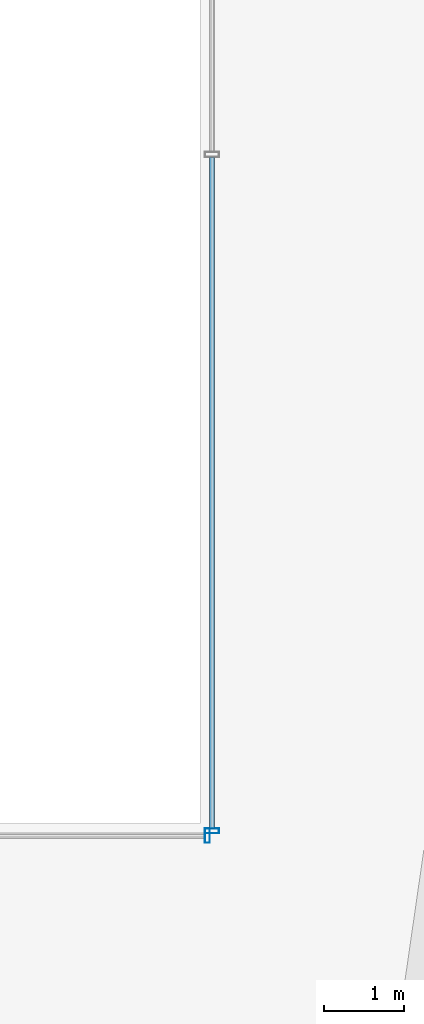
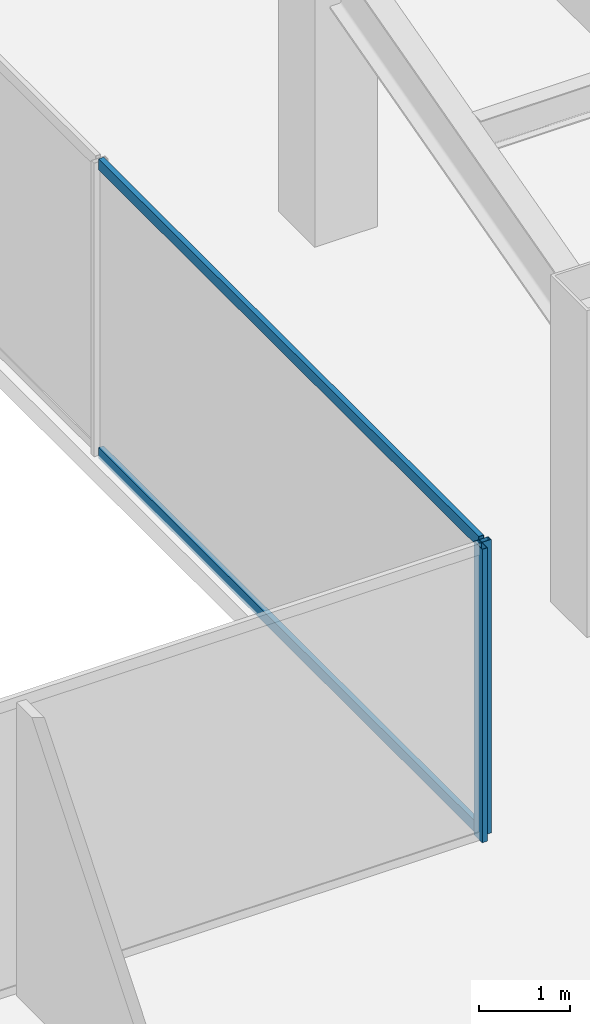
# One storey, part 18 of 47: 4 members, 2 elements without a shape of their own.
"""IFC4 building model written with IfcOpenShell, lengths in metres."""

from ifc_helpers import new_model, si_unit, direction, frame, origin, origin_2d, place, context, subcontext, project, spatial, hollow_rectangle, extrude, material, material_profile, profile_set, type_object, element, aggregate, save


model = new_model("IFC4")

# Units and contexts
model_context = context("Model", 3, precision=1e-05, world=origin(), true_north=direction((0.0, 1.0)))
body_context = subcontext(model_context, "Body", "Model", "MODEL_VIEW")
ifc_project = project(units=[si_unit("LENGTHUNIT", "METRE"), si_unit("AREAUNIT", "SQUARE_METRE"), si_unit("VOLUMEUNIT", "CUBIC_METRE"), si_unit("PLANEANGLEUNIT", "RADIAN"), si_unit("MASSUNIT", "GRAM", prefix="KILO")], contexts=[model_context])

# Site, building, storey
site_placement = place(None, origin())
site = spatial("IfcSite", under=ifc_project, at=site_placement, CompositionType="ELEMENT")
building_placement = place(site_placement, origin())
building = spatial("IfcBuilding", under=site, at=building_placement, Name="Saevonmaru Cultural Tower", CompositionType="ELEMENT")
storey_placement = place(building_placement, frame((0.0, 0.0, 82.39990234375)))
storey = spatial("IfcBuildingStorey", under=building, at=storey_placement, Name="L17", CompositionType="ELEMENT", Elevation=82.39990234375)

# Curtain wall, member
ifc_material = material(Name="Satin Bronze Anodised Aluminium", Category="aluminium")
curtain_wall_type = type_object("IfcCurtainWallType", Name="CW-ATR-GLZ", PredefinedType="NOTDEFINED", material=ifc_material)
curtain_wall_1_placement = place(storey_placement, origin())
curtain_wall_1 = element("IfcCurtainWall", 1, at=curtain_wall_1_placement, inside=storey, type_object=curtain_wall_type, Name="L17 Vertical Atrium Glazed Smoke Screen 1", PredefinedType="NOTDEFINED")
ifc_material_profile_1 = material_profile(ifc_material, hollow_rectangle(XDim=0.06494140625, YDim=0.179931640625, WallThickness=0.00390625, at=origin_2d()), Name="ALU-MULL-180x65x4")
ifc_profile_set_1 = profile_set([ifc_material_profile_1], Name="Satin Bronze Anodised Aluminium")
member_type_1 = type_object("IfcMemberType", Name="ML-CW-INT-180x65", PredefinedType="MULLION", material=ifc_profile_set_1)
member_1_placement = place(storey_placement, frame((35.889892578125, 20.85009765625, 0.0), z_axis=(0.0, 0.0, 1.0), x_axis=(1.0, 0.0, 0.0)))
member_1 = element("IfcMember", 2, at=member_1_placement, type_object=member_type_1, Name="CW-ATR-L17-1 mullion 2", PredefinedType="MULLION", context=body_context, shape_type="SweptSolid", body=[
    extrude(hollow_rectangle(XDim=0.06494140625, YDim=0.179931640625, WallThickness=0.00390625, at=origin_2d()), origin(), (0.0, 0.0, 1.0), 3.9501953125),
])
aggregate(curtain_wall_1, [member_1])

# Curtain wall, members
curtain_wall_2_placement = place(storey_placement, origin())
curtain_wall_2 = element("IfcCurtainWall", 3, at=curtain_wall_2_placement, inside=storey, type_object=curtain_wall_type, Name="L17 Vertical Atrium Glazed Smoke Screen 2", PredefinedType="NOTDEFINED")
member_2_placement = place(storey_placement, frame((35.949951171875, 20.909912109375, 0.0), z_axis=(0.0, 0.0, 1.0), x_axis=(0.0, 1.0, 0.0)))
member_2 = element("IfcMember", 4, at=member_2_placement, type_object=member_type_1, Name="CW-ATR-L17-2 mullion 1", PredefinedType="MULLION", context=body_context, shape_type="SweptSolid", body=[
    extrude(hollow_rectangle(XDim=0.06494140625, YDim=0.179931640625, WallThickness=0.00390625, at=origin_2d()), origin(), (0.0, 0.0, 1.0), 3.9501953125),
])
ifc_material_profile_2 = material_profile(ifc_material, hollow_rectangle(XDim=0.06494140625, YDim=0.14990234375, WallThickness=0.00390625, at=origin_2d()), Name="ALU-TRAN-150x65x4")
ifc_profile_set_2 = profile_set([ifc_material_profile_2], Name="Satin Bronze Anodised Aluminium")
member_type_2 = type_object("IfcMemberType", Name="TR-CW-INT-150x65", PredefinedType="USERDEFINED", material=ifc_profile_set_2)
member_3_placement = place(storey_placement, frame((35.949951171875, 20.9423828125, 0.03271484375), z_axis=(0.0, 1.0, 0.0), x_axis=(-1.0, 0.0, 0.0)))
member_3 = element("IfcMember", 5, at=member_3_placement, type_object=member_type_2, Name="CW-ATR-L17-2 transom 1.1", ObjectType="TRANSOM", PredefinedType="USERDEFINED", context=body_context, shape_type="SweptSolid", body=[
    extrude(hollow_rectangle(XDim=0.06494140625, YDim=0.14990234375, WallThickness=0.00390625, at=origin_2d()), origin(), (0.0, 0.0, 1.0), 8.385009765625),
])
member_4_placement = place(storey_placement, frame((35.949951171875, 20.9423828125, 3.91748046875), z_axis=(0.0, 1.0, 0.0), x_axis=(-1.0, 0.0, 0.0)))
member_4 = element("IfcMember", 6, at=member_4_placement, type_object=member_type_2, Name="CW-ATR-L17-2 transom 1.2", ObjectType="TRANSOM", PredefinedType="USERDEFINED", context=body_context, shape_type="SweptSolid", body=[
    extrude(hollow_rectangle(XDim=0.06494140625, YDim=0.14990234375, WallThickness=0.00390625, at=origin_2d()), origin(), (0.0, 0.0, 1.0), 8.385009765625),
])
aggregate(curtain_wall_2, [member_2, member_3, member_4])

save(model, "model.ifc")
